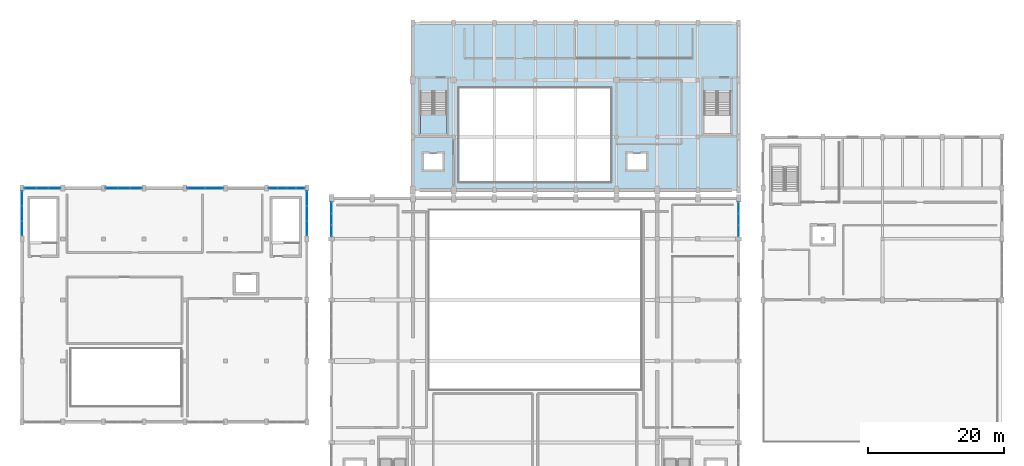
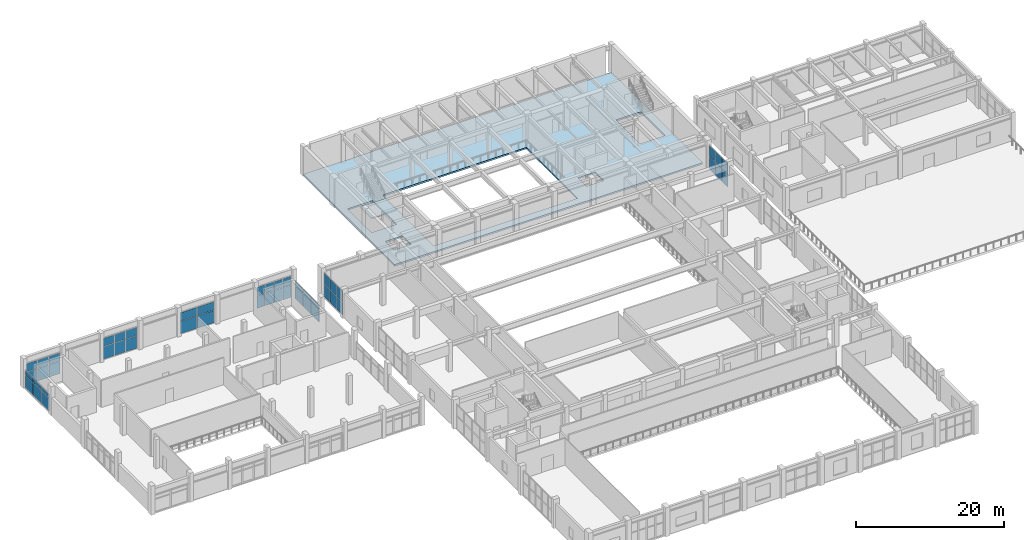
# One storey, part 37 of 62: 48 plates, 2 slabs, 9 elements without a shape of their own.
"""IFC4 building model written with IfcOpenShell, lengths in metres."""

import ifcopenshell
import ifcopenshell.guid

model = None  # the IFC model being written
_history = None  # IfcOwnerHistory: only IFC2X3 demands one
_inside = {}  # id of a spatial element -> (the spatial element, [elements in it])
_under = {}  # id of a project, library or spatial element -> (it, [spatial elements below it])
_declared = {}  # id of a project -> (the project, [libraries it declares])
_typed = {}  # id of a type object -> (the type object, [elements of that type])
_made_of = {}  # id of a material, layer set ... -> (it, [elements and type objects made of it])


def new_model(schema):
    """Start an empty IFC model of exactly this schema.

    Asked for "IFC4X3", IfcOpenShell would pick the latest addendum, in which some entities
    have other attributes; the version numbers below select the first issue.
    IFC2X3 requires an IfcOwnerHistory on every rooted entity: one is made here for all.
    """
    global model, _history
    if schema == "IFC4X3":
        model = ifcopenshell.file(schema_version=(4, 3, 0, 0))
    else:
        model = ifcopenshell.file(schema=schema)
    _inside.clear()
    _under.clear()
    _declared.clear()
    _typed.clear()
    _made_of.clear()
    _history = None
    if model.schema == "IFC2X3":
        org = make("IfcOrganization", Name="unknown")
        user = make(
            "IfcPersonAndOrganization",
            ThePerson=make("IfcPerson", FamilyName="unknown"),
            TheOrganization=org,
        )
        app = make(
            "IfcApplication",
            ApplicationDeveloper=org,
            Version="unknown",
            ApplicationFullName="unknown",
            ApplicationIdentifier="unknown",
        )
        _history = make(
            "IfcOwnerHistory",
            OwningUser=user,
            OwningApplication=app,
            ChangeAction="ADDED",
            CreationDate=0,
        )
    return model


def make(cls, **values):
    """One entity of the class cls with the attributes given. An attribute that is None is left unset."""
    return model.create_entity(
        cls, **{name: value for name, value in values.items() if value is not None}
    )


def rooted(cls, **values):
    """An entity with a GlobalId (a new one), such as an element, a storey or a relation."""
    return make(cls, GlobalId=ifcopenshell.guid.new(), OwnerHistory=_history, **values)


def si_unit(unit_type, name, prefix=None):
    """IfcSIUnit, for example si_unit("LENGTHUNIT", "METRE", prefix="MILLI")."""
    return make("IfcSIUnit", UnitType=unit_type, Prefix=prefix, Name=name)


def assignment(units):
    """IfcUnitAssignment: the units of a project."""
    return None if units is None else make("IfcUnitAssignment", Units=units)


def point(xyz):
    """IfcCartesianPoint."""
    return None if xyz is None else make("IfcCartesianPoint", Coordinates=xyz)


def direction(xyz):
    """IfcDirection."""
    return None if xyz is None else make("IfcDirection", DirectionRatios=xyz)


def frame(location, z_axis=None, x_axis=None):
    """IfcAxis2Placement3D, a coordinate frame: its origin and axes. An axis left out is left unset."""
    return make(
        "IfcAxis2Placement3D",
        Location=point(location),
        Axis=direction(z_axis),
        RefDirection=direction(x_axis),
    )


def frame_2d(location, x_axis=None):
    """IfcAxis2Placement2D, a coordinate frame in the plane: its origin and x axis."""
    return make(
        "IfcAxis2Placement2D", Location=point(location), RefDirection=direction(x_axis)
    )


def origin():
    """The frame at (0, 0, 0) with its axes left unset."""
    return frame((0.0, 0.0, 0.0))


def origin_2d():
    """The frame at (0, 0) in the plane with its x axis left unset."""
    return frame_2d((0.0, 0.0))


def place(relative_to, where):
    """IfcLocalPlacement: puts the frame where relative to a parent placement (None: the world)."""
    return make(
        "IfcLocalPlacement", PlacementRelTo=relative_to, RelativePlacement=where
    )


def context(
    kind, dimensions, precision=None, world=None, true_north=None, identifier=None
):
    """IfcGeometricRepresentationContext, for example the 3D "Model" context."""
    return make(
        "IfcGeometricRepresentationContext",
        ContextIdentifier=identifier,
        ContextType=kind,
        CoordinateSpaceDimension=dimensions,
        Precision=precision,
        WorldCoordinateSystem=world,
        TrueNorth=true_north,
    )


def subcontext(parent, identifier, kind, view, scale=None):
    """IfcGeometricRepresentationSubContext, for example "Body" below "Model"."""
    return make(
        "IfcGeometricRepresentationSubContext",
        ContextIdentifier=identifier,
        ContextType=kind,
        ParentContext=parent,
        TargetScale=scale,
        TargetView=view,
    )


def project(units=None, contexts=None):
    """IfcProject with its units and contexts."""
    return rooted(
        "IfcProject",
        Name="project",
        RepresentationContexts=contexts,
        UnitsInContext=assignment(units),
    )


def spatial(cls, under=None, at=None, **own):
    """A site, building, storey or space (cls), placed at a placement, below another one or the project."""
    s = rooted(cls, ObjectPlacement=at, **own)
    if under is not None:
        _under.setdefault(under.id(), (under, []))[1].append(s)
    return s


def polyline(points):
    """IfcPolyline through the points."""
    return make("IfcPolyline", Points=[point(p) for p in points])


def profile(cls, at=None, kind="AREA", **sizes):
    """A parametric profile (cls). Its sizes go by their IFC names, for example OverallWidth=200.0."""
    return make(cls, ProfileType=kind, Position=at, **sizes)


def rectangle(**sizes):
    """IfcRectangleProfileDef."""
    return profile("IfcRectangleProfileDef", **sizes)


def outline(outer, holes=None, kind="AREA"):
    """IfcArbitraryClosedProfileDef: a profile drawn as a closed curve; with holes, ...WithVoids."""
    if holes is None:
        return make("IfcArbitraryClosedProfileDef", ProfileType=kind, OuterCurve=outer)
    return make(
        "IfcArbitraryProfileDefWithVoids",
        ProfileType=kind,
        OuterCurve=outer,
        InnerCurves=holes,
    )


def extrude(swept, where, along, depth):
    """IfcExtrudedAreaSolid: the profile swept, set in the frame where, extruded along a direction by depth."""
    return make(
        "IfcExtrudedAreaSolid",
        SweptArea=swept,
        Position=where,
        ExtrudedDirection=direction(along),
        Depth=depth,
    )


def shape(context_of_items, identifier, shape_type, items):
    """IfcShapeRepresentation: the items that make up one representation, for example the "Body"."""
    return make(
        "IfcShapeRepresentation",
        ContextOfItems=context_of_items,
        RepresentationIdentifier=identifier,
        RepresentationType=shape_type,
        Items=items,
    )


def material(Name=None, Category=None):
    """IfcMaterial."""
    return make("IfcMaterial", Name=Name, Category=Category)


def layer(
    of_material, thickness, ventilated=None, Name=None, Category=None, Priority=None
):
    """IfcMaterialLayer: one layer of a wall or slab, of a material (None: an air gap)."""
    return make(
        "IfcMaterialLayer",
        Material=of_material,
        LayerThickness=thickness,
        IsVentilated=ventilated,
        Name=Name,
        Category=Category,
        Priority=Priority,
    )


def layer_set(layers, Name=None):
    """IfcMaterialLayerSet."""
    return make("IfcMaterialLayerSet", MaterialLayers=layers, LayerSetName=Name)


def made_of(thing, what):
    """Note that an element or type object is made of a material, layer set ...; save() writes the relation."""
    if what is not None:
        _made_of.setdefault(what.id(), (what, []))[1].append(thing)
    return thing


def type_object(cls, material=None, **own):
    """A type object (cls), such as IfcWallType, which elements share."""
    return made_of(rooted(cls, **own), material)


def element(
    cls,
    number,
    at=None,
    inside=None,
    cuts=None,
    type_object=None,
    material=None,
    context=None,
    identifier="Body",
    shape_type=None,
    held_by="IfcProductDefinitionShape",
    body=None,
    shapes=None,
    **own,
):
    """One element of the class cls, such as IfcWall. Its Tag is "e" and its number.

    at: its placement. inside: the storey or other place that contains it. cuts: it is an
    opening in that element (IfcRelVoidsElement). A single representation is given by context,
    identifier, shape_type and body (its items); several are given by shapes. held_by: the class
    of the entity that holds the representations. save() writes the other relations.
    """
    e = rooted(cls, Tag="e%d" % number, ObjectPlacement=at, **own)
    if body is not None:
        shapes = [shape(context, identifier, shape_type, body)]
    if shapes is not None:
        e.Representation = make(held_by, Representations=shapes)
    if inside is not None:
        _inside.setdefault(inside.id(), (inside, []))[1].append(e)
    if cuts is not None:
        rooted(
            "IfcRelVoidsElement", RelatingBuildingElement=cuts, RelatedOpeningElement=e
        )
    if type_object is not None:
        _typed.setdefault(type_object.id(), (type_object, []))[1].append(e)
    return made_of(e, material)


def aggregate(whole, parts):
    """IfcRelAggregates: a whole, such as a stair, and the parts it consists of."""
    return rooted("IfcRelAggregates", RelatingObject=whole, RelatedObjects=parts)


def save(model, path):
    """Write the relations noted so far, then the file.

    IfcRelAggregates (storeys below a building ...), IfcRelContainedInSpatialStructure (elements
    in a storey), IfcRelDefinesByType, IfcRelAssociatesMaterial and IfcRelDeclares: one each for
    every whole, place, type object, material and project.
    """
    for whole, parts in _under.values():
        aggregate(whole, parts)
    for where, things in _inside.values():
        rooted(
            "IfcRelContainedInSpatialStructure",
            RelatedElements=things,
            RelatingStructure=where,
        )
    for kind, things in _typed.values():
        rooted("IfcRelDefinesByType", RelatedObjects=things, RelatingType=kind)
    for what, things in _made_of.values():
        rooted("IfcRelAssociatesMaterial", RelatedObjects=things, RelatingMaterial=what)
    for by, libraries in _declared.values():
        rooted("IfcRelDeclares", RelatingContext=by, RelatedDefinitions=libraries)
    model.write(path)


model = new_model("IFC4")

# Units and contexts
model_context = context("Model", 3, precision=1e-05, world=origin(), true_north=direction((0.0, 1.0)))
body_context = subcontext(model_context, "Body", "Model", "MODEL_VIEW")
ifc_project = project(units=[si_unit("LENGTHUNIT", "METRE"), si_unit("AREAUNIT", "SQUARE_METRE"), si_unit("VOLUMEUNIT", "CUBIC_METRE"), si_unit("PLANEANGLEUNIT", "RADIAN"), si_unit("MASSUNIT", "GRAM", prefix="KILO")], contexts=[model_context])

# Site, building, storey
site_placement = place(None, origin())
site = spatial("IfcSite", under=ifc_project, at=site_placement, CompositionType="ELEMENT")
building_placement = place(site_placement, origin())
building = spatial("IfcBuilding", under=site, at=building_placement, Name="Vaelkrest Opera House", CompositionType="ELEMENT")
storey_placement = place(building_placement, frame((0.0, 0.0, 19.800048828125)))
storey = spatial("IfcBuildingStorey", under=building, at=storey_placement, Name="L04", CompositionType="ELEMENT", Elevation=19.800048828125)

# Curtain wall, plates
ifc_material_1 = material(Name="Dark bronze anodized aluminium", Category="aluminium")
ifc_layer_1 = layer(ifc_material_1, 0.18994140625)
ifc_layer_set_1 = layer_set([ifc_layer_1], Name="Dark bronze anodized aluminium")
curtain_wall_type_1 = type_object("IfcCurtainWallType", Name="CW02", PredefinedType="NOTDEFINED", material=ifc_layer_set_1)
curtain_wall_1_placement = place(storey_placement, origin())
curtain_wall_1 = element("IfcCurtainWall", 1, at=curtain_wall_1_placement, inside=storey, type_object=curtain_wall_type_1, Name="Curtain wall CW-L04-063", PredefinedType="NOTDEFINED")
ifc_material_2 = material(Name="Double low-E insulated glazing", Category="glass")
ifc_layer_2 = layer(ifc_material_2, 0.030029296875)
ifc_layer_set_2 = layer_set([ifc_layer_2], Name="Double low-E insulated glazing")
plate_type_1 = type_object("IfcPlateType", Name="CWP02", PredefinedType="CURTAIN_PANEL", material=ifc_layer_set_2)
plate_1_placement = place(storey_placement, frame((-30.0, 11.37451171875, 0.070068359375), z_axis=(0.0, 0.0, 1.0), x_axis=(0.0, 1.0, 0.0)))
plate_1 = element("IfcPlate", 2, at=plate_1_placement, type_object=plate_type_1, Name="CW02 panel 1.1", PredefinedType="CURTAIN_PANEL", context=body_context, shape_type="SweptSolid", body=[
    extrude(rectangle(XDim=1.613037109375, YDim=0.030029296875, at=origin_2d()), origin(), (0.0, 0.0, 1.0), 2.044921875),
])
plate_2_placement = place(storey_placement, frame((-30.0, 11.37451171875, 2.184814453125), z_axis=(0.0, 0.0, 1.0), x_axis=(0.0, 1.0, 0.0)))
plate_2 = element("IfcPlate", 3, at=plate_2_placement, type_object=plate_type_1, Name="CW02 panel 1.2", PredefinedType="CURTAIN_PANEL", context=body_context, shape_type="SweptSolid", body=[
    extrude(rectangle(XDim=1.613037109375, YDim=0.030029296875, at=origin_2d()), origin(), (0.0, 0.0, 1.0), 1.7880859375),
])
plate_3_placement = place(storey_placement, frame((-30.0, 13.074951171875, 0.070068359375), z_axis=(0.0, 0.0, 1.0), x_axis=(0.0, 1.0, 0.0)))
plate_3 = element("IfcPlate", 4, at=plate_3_placement, type_object=plate_type_1, Name="CW02 panel 2.1", PredefinedType="CURTAIN_PANEL", context=body_context, shape_type="SweptSolid", body=[
    extrude(rectangle(XDim=1.64794921875, YDim=0.030029296875, at=origin_2d()), origin(), (0.0, 0.0, 1.0), 2.044921875),
])
plate_4_placement = place(storey_placement, frame((-30.0, 13.074951171875, 2.184814453125), z_axis=(0.0, 0.0, 1.0), x_axis=(0.0, 1.0, 0.0)))
plate_4 = element("IfcPlate", 5, at=plate_4_placement, type_object=plate_type_1, Name="CW02 panel 2.2", PredefinedType="CURTAIN_PANEL", context=body_context, shape_type="SweptSolid", body=[
    extrude(rectangle(XDim=1.64794921875, YDim=0.030029296875, at=origin_2d()), origin(), (0.0, 0.0, 1.0), 1.7880859375),
])
plate_5_placement = place(storey_placement, frame((-30.0, 14.775390625, 0.070068359375), z_axis=(0.0, 0.0, 1.0), x_axis=(0.0, 1.0, 0.0)))
plate_5 = element("IfcPlate", 6, at=plate_5_placement, type_object=plate_type_1, Name="CW02 panel 3.1", PredefinedType="CURTAIN_PANEL", context=body_context, shape_type="SweptSolid", body=[
    extrude(rectangle(XDim=1.613037109375, YDim=0.030029296875, at=origin_2d()), origin(), (0.0, 0.0, 1.0), 2.044921875),
])
plate_6_placement = place(storey_placement, frame((-30.0, 14.775390625, 2.184814453125), z_axis=(0.0, 0.0, 1.0), x_axis=(0.0, 1.0, 0.0)))
plate_6 = element("IfcPlate", 7, at=plate_6_placement, type_object=plate_type_1, Name="CW02 panel 3.2", PredefinedType="CURTAIN_PANEL", context=body_context, shape_type="SweptSolid", body=[
    extrude(rectangle(XDim=1.613037109375, YDim=0.030029296875, at=origin_2d()), origin(), (0.0, 0.0, 1.0), 1.7880859375),
])
aggregate(curtain_wall_1, [plate_1, plate_2, plate_3, plate_4, plate_5, plate_6])

curtain_wall_2_placement = place(storey_placement, origin())
curtain_wall_2 = element("IfcCurtainWall", 8, at=curtain_wall_2_placement, inside=storey, type_object=curtain_wall_type_1, Name="Curtain wall CW-L04-146", PredefinedType="NOTDEFINED")
plate_7_placement = place(storey_placement, frame((-38.60888671875, 17.699951171875, 0.070068359375), z_axis=(0.0, 0.0, 1.0), x_axis=(1.0, 0.0, 0.0)))
plate_7 = element("IfcPlate", 9, at=plate_7_placement, type_object=plate_type_1, Name="CW02 panel 1.1", PredefinedType="CURTAIN_PANEL", context=body_context, shape_type="SweptSolid", body=[
    extrude(rectangle(XDim=1.24609375, YDim=0.030029296875, at=origin_2d()), origin(), (0.0, 0.0, 1.0), 2.044921875),
])
plate_8_placement = place(storey_placement, frame((-38.60888671875, 17.699951171875, 2.18505859375), z_axis=(0.0, 0.0, 1.0), x_axis=(1.0, 0.0, 0.0)))
plate_8 = element("IfcPlate", 10, at=plate_8_placement, type_object=plate_type_1, Name="CW02 panel 1.2", PredefinedType="CURTAIN_PANEL", context=body_context, shape_type="SweptSolid", body=[
    extrude(rectangle(XDim=1.24609375, YDim=0.030029296875, at=origin_2d()), origin(), (0.0, 0.0, 1.0), 1.342041015625),
])
plate_9_placement = place(storey_placement, frame((-37.275390625, 17.699951171875, 0.070068359375), z_axis=(0.0, 0.0, 1.0), x_axis=(1.0, 0.0, 0.0)))
plate_9 = element("IfcPlate", 11, at=plate_9_placement, type_object=plate_type_1, Name="CW02 panel 2.1", PredefinedType="CURTAIN_PANEL", context=body_context, shape_type="SweptSolid", body=[
    extrude(rectangle(XDim=1.281005859375, YDim=0.030029296875, at=origin_2d()), origin(), (0.0, 0.0, 1.0), 2.044921875),
])
plate_10_placement = place(storey_placement, frame((-37.275390625, 17.699951171875, 2.18505859375), z_axis=(0.0, 0.0, 1.0), x_axis=(1.0, 0.0, 0.0)))
plate_10 = element("IfcPlate", 12, at=plate_10_placement, type_object=plate_type_1, Name="CW02 panel 2.2", PredefinedType="CURTAIN_PANEL", context=body_context, shape_type="SweptSolid", body=[
    extrude(rectangle(XDim=1.281005859375, YDim=0.030029296875, at=origin_2d()), origin(), (0.0, 0.0, 1.0), 1.342041015625),
])
plate_11_placement = place(storey_placement, frame((-35.924560546875, 17.699951171875, 0.070068359375), z_axis=(0.0, 0.0, 1.0), x_axis=(1.0, 0.0, 0.0)))
plate_11 = element("IfcPlate", 13, at=plate_11_placement, type_object=plate_type_1, Name="CW02 panel 3.1", PredefinedType="CURTAIN_PANEL", context=body_context, shape_type="SweptSolid", body=[
    extrude(rectangle(XDim=1.281005859375, YDim=0.030029296875, at=origin_2d()), origin(), (0.0, 0.0, 1.0), 2.044921875),
])
plate_12_placement = place(storey_placement, frame((-35.924560546875, 17.699951171875, 2.18505859375), z_axis=(0.0, 0.0, 1.0), x_axis=(1.0, 0.0, 0.0)))
plate_12 = element("IfcPlate", 14, at=plate_12_placement, type_object=plate_type_1, Name="CW02 panel 3.2", PredefinedType="CURTAIN_PANEL", context=body_context, shape_type="SweptSolid", body=[
    extrude(rectangle(XDim=1.281005859375, YDim=0.030029296875, at=origin_2d()), origin(), (0.0, 0.0, 1.0), 1.342041015625),
])
plate_13_placement = place(storey_placement, frame((-34.591064453125, 17.699951171875, 0.070068359375), z_axis=(0.0, 0.0, 1.0), x_axis=(1.0, 0.0, 0.0)))
plate_13 = element("IfcPlate", 15, at=plate_13_placement, type_object=plate_type_1, Name="CW02 panel 4.1", PredefinedType="CURTAIN_PANEL", context=body_context, shape_type="SweptSolid", body=[
    extrude(rectangle(XDim=1.24609375, YDim=0.030029296875, at=origin_2d()), origin(), (0.0, 0.0, 1.0), 2.044921875),
])
plate_14_placement = place(storey_placement, frame((-34.591064453125, 17.699951171875, 2.18505859375), z_axis=(0.0, 0.0, 1.0), x_axis=(1.0, 0.0, 0.0)))
plate_14 = element("IfcPlate", 16, at=plate_14_placement, type_object=plate_type_1, Name="CW02 panel 4.2", PredefinedType="CURTAIN_PANEL", context=body_context, shape_type="SweptSolid", body=[
    extrude(rectangle(XDim=1.24609375, YDim=0.030029296875, at=origin_2d()), origin(), (0.0, 0.0, 1.0), 1.342041015625),
])
aggregate(curtain_wall_2, [plate_7, plate_8, plate_9, plate_10, plate_11, plate_12, plate_13, plate_14])

ifc_layer_3 = layer(ifc_material_1, 0.2099609375)
ifc_layer_set_3 = layer_set([ifc_layer_3], Name="Dark bronze anodized aluminium")
curtain_wall_type_2 = type_object("IfcCurtainWallType", Name="CW04", PredefinedType="NOTDEFINED", material=ifc_layer_set_3)
curtain_wall_3_placement = place(storey_placement, origin())
curtain_wall_3 = element("IfcCurtainWall", 17, at=curtain_wall_3_placement, inside=storey, type_object=curtain_wall_type_2, Name="Curtain wall CW-L04-143", PredefinedType="NOTDEFINED")
ifc_layer_4 = layer(ifc_material_2, 0.0380859375)
ifc_layer_set_4 = layer_set([ifc_layer_4], Name="Double low-E insulated glazing")
plate_type_2 = type_object("IfcPlateType", Name="CWP04", PredefinedType="CURTAIN_PANEL", material=ifc_layer_set_4)
plate_15_placement = place(storey_placement, frame((-74.38134765625, 17.699951171875, 0.080078125), z_axis=(0.0, 0.0, 1.0), x_axis=(1.0, 0.0, 0.0)))
plate_15 = element("IfcPlate", 18, at=plate_15_placement, type_object=plate_type_2, Name="CW04 panel 1.1", PredefinedType="CURTAIN_PANEL", context=body_context, shape_type="SweptSolid", body=[
    extrude(rectangle(XDim=1.681396484375, YDim=0.0380859375, at=origin_2d()), origin(), (0.0, 0.0, 1.0), 2.030029296875),
])
plate_16_placement = place(storey_placement, frame((-74.38134765625, 17.699951171875, 2.18994140625), z_axis=(0.0, 0.0, 1.0), x_axis=(1.0, 0.0, 0.0)))
plate_16 = element("IfcPlate", 19, at=plate_16_placement, type_object=plate_type_2, Name="CW04 panel 1.2", PredefinedType="CURTAIN_PANEL", context=body_context, shape_type="SweptSolid", body=[
    extrude(rectangle(XDim=1.681396484375, YDim=0.0380859375, at=origin_2d()), origin(), (0.0, 0.0, 1.0), 1.326904296875),
])
plate_17_placement = place(storey_placement, frame((-72.60009765625, 17.699951171875, 0.080078125), z_axis=(0.0, 0.0, 1.0), x_axis=(1.0, 0.0, 0.0)))
plate_17 = element("IfcPlate", 20, at=plate_17_placement, type_object=plate_type_2, Name="CW04 panel 2.1", PredefinedType="CURTAIN_PANEL", context=body_context, shape_type="SweptSolid", body=[
    extrude(rectangle(XDim=1.721435546875, YDim=0.0380859375, at=origin_2d()), origin(), (0.0, 0.0, 1.0), 2.030029296875),
])
plate_18_placement = place(storey_placement, frame((-72.60009765625, 17.699951171875, 2.18994140625), z_axis=(0.0, 0.0, 1.0), x_axis=(1.0, 0.0, 0.0)))
plate_18 = element("IfcPlate", 21, at=plate_18_placement, type_object=plate_type_2, Name="CW04 panel 2.2", PredefinedType="CURTAIN_PANEL", context=body_context, shape_type="SweptSolid", body=[
    extrude(rectangle(XDim=1.721435546875, YDim=0.0380859375, at=origin_2d()), origin(), (0.0, 0.0, 1.0), 1.326904296875),
])
plate_19_placement = place(storey_placement, frame((-70.818603515625, 17.699951171875, 0.080078125), z_axis=(0.0, 0.0, 1.0), x_axis=(1.0, 0.0, 0.0)))
plate_19 = element("IfcPlate", 22, at=plate_19_placement, type_object=plate_type_2, Name="CW04 panel 3.1", PredefinedType="CURTAIN_PANEL", context=body_context, shape_type="SweptSolid", body=[
    extrude(rectangle(XDim=1.681396484375, YDim=0.0380859375, at=origin_2d()), origin(), (0.0, 0.0, 1.0), 2.030029296875),
])
plate_20_placement = place(storey_placement, frame((-70.818603515625, 17.699951171875, 2.18994140625), z_axis=(0.0, 0.0, 1.0), x_axis=(1.0, 0.0, 0.0)))
plate_20 = element("IfcPlate", 23, at=plate_20_placement, type_object=plate_type_2, Name="CW04 panel 3.2", PredefinedType="CURTAIN_PANEL", context=body_context, shape_type="SweptSolid", body=[
    extrude(rectangle(XDim=1.681396484375, YDim=0.0380859375, at=origin_2d()), origin(), (0.0, 0.0, 1.0), 1.326904296875),
])
aggregate(curtain_wall_3, [plate_15, plate_16, plate_17, plate_18, plate_19, plate_20])

ifc_layer_5 = layer(ifc_material_1, 0.219970703125)
ifc_layer_set_5 = layer_set([ifc_layer_5], Name="Dark bronze anodized aluminium")
curtain_wall_type_3 = type_object("IfcCurtainWallType", Name="CW05", PredefinedType="NOTDEFINED", material=ifc_layer_set_5)
curtain_wall_4_placement = place(storey_placement, origin())
curtain_wall_4 = element("IfcCurtainWall", 24, at=curtain_wall_4_placement, inside=storey, type_object=curtain_wall_type_3, Name="Curtain wall CW-L04-064", PredefinedType="NOTDEFINED")
ifc_layer_6 = layer(ifc_material_2, 0.0419921875)
ifc_layer_set_6 = layer_set([ifc_layer_6], Name="Double low-E insulated glazing")
plate_type_3 = type_object("IfcPlateType", Name="CWP05", PredefinedType="CURTAIN_PANEL", material=ifc_layer_set_6)
plate_21_placement = place(storey_placement, frame((30.0, 14.77685546875, 0.074951171875), z_axis=(0.0, 0.0, 1.0), x_axis=(0.0, -1.0, 0.0)))
plate_21 = element("IfcPlate", 25, at=plate_21_placement, type_object=plate_type_3, Name="CW05 panel 1.1", PredefinedType="CURTAIN_PANEL", context=body_context, shape_type="SweptSolid", body=[
    extrude(rectangle(XDim=1.62060546875, YDim=0.0419921875, at=origin_2d()), origin(), (0.0, 0.0, 1.0), 2.03759765625),
])
plate_22_placement = place(storey_placement, frame((30.0, 14.77685546875, 2.1875), z_axis=(0.0, 0.0, 1.0), x_axis=(0.0, -1.0, 0.0)))
plate_22 = element("IfcPlate", 26, at=plate_22_placement, type_object=plate_type_3, Name="CW05 panel 1.2", PredefinedType="CURTAIN_PANEL", context=body_context, shape_type="SweptSolid", body=[
    extrude(rectangle(XDim=1.62060546875, YDim=0.0419921875, at=origin_2d()), origin(), (0.0, 0.0, 1.0), 1.780517578125),
])
plate_23_placement = place(storey_placement, frame((30.0, 13.074951171875, 0.074951171875), z_axis=(0.0, 0.0, 1.0), x_axis=(0.0, -1.0, 0.0)))
plate_23 = element("IfcPlate", 27, at=plate_23_placement, type_object=plate_type_3, Name="CW05 panel 2.1", PredefinedType="CURTAIN_PANEL", context=body_context, shape_type="SweptSolid", body=[
    extrude(rectangle(XDim=1.653076171875, YDim=0.0419921875, at=origin_2d()), origin(), (0.0, 0.0, 1.0), 2.03759765625),
])
plate_24_placement = place(storey_placement, frame((30.0, 13.074951171875, 2.1875), z_axis=(0.0, 0.0, 1.0), x_axis=(0.0, -1.0, 0.0)))
plate_24 = element("IfcPlate", 28, at=plate_24_placement, type_object=plate_type_3, Name="CW05 panel 2.2", PredefinedType="CURTAIN_PANEL", context=body_context, shape_type="SweptSolid", body=[
    extrude(rectangle(XDim=1.653076171875, YDim=0.0419921875, at=origin_2d()), origin(), (0.0, 0.0, 1.0), 1.780517578125),
])
plate_25_placement = place(storey_placement, frame((30.0, 11.373291015625, 0.074951171875), z_axis=(0.0, 0.0, 1.0), x_axis=(0.0, -1.0, 0.0)))
plate_25 = element("IfcPlate", 29, at=plate_25_placement, type_object=plate_type_3, Name="CW05 panel 3.1", PredefinedType="CURTAIN_PANEL", context=body_context, shape_type="SweptSolid", body=[
    extrude(rectangle(XDim=1.62060546875, YDim=0.0419921875, at=origin_2d()), origin(), (0.0, 0.0, 1.0), 2.03759765625),
])
plate_26_placement = place(storey_placement, frame((30.0, 11.373291015625, 2.1875), z_axis=(0.0, 0.0, 1.0), x_axis=(0.0, -1.0, 0.0)))
plate_26 = element("IfcPlate", 30, at=plate_26_placement, type_object=plate_type_3, Name="CW05 panel 3.2", PredefinedType="CURTAIN_PANEL", context=body_context, shape_type="SweptSolid", body=[
    extrude(rectangle(XDim=1.62060546875, YDim=0.0419921875, at=origin_2d()), origin(), (0.0, 0.0, 1.0), 1.780517578125),
])
aggregate(curtain_wall_4, [plate_21, plate_22, plate_23, plate_24, plate_25, plate_26])

curtain_wall_5_placement = place(storey_placement, origin())
curtain_wall_5 = element("IfcCurtainWall", 31, at=curtain_wall_5_placement, inside=storey, type_object=curtain_wall_type_3, Name="Curtain wall CW-L04-147", PredefinedType="NOTDEFINED")
plate_27_placement = place(storey_placement, frame((-33.60009765625, 16.135009765625, 0.074951171875), z_axis=(0.0, 0.0, 1.0), x_axis=(0.0, -1.0, 0.0)))
plate_27 = element("IfcPlate", 32, at=plate_27_placement, type_object=plate_type_3, Name="CW05 panel 1.1", PredefinedType="CURTAIN_PANEL", context=body_context, shape_type="SweptSolid", body=[
    extrude(rectangle(XDim=2.103759765625, YDim=0.0419921875, at=origin_2d()), origin(), (0.0, 0.0, 1.0), 2.03759765625),
])
plate_28_placement = place(storey_placement, frame((-33.60009765625, 16.135009765625, 2.1875), z_axis=(0.0, 0.0, 1.0), x_axis=(0.0, -1.0, 0.0)))
plate_28 = element("IfcPlate", 33, at=plate_28_placement, type_object=plate_type_3, Name="CW05 panel 1.2", PredefinedType="CURTAIN_PANEL", context=body_context, shape_type="SweptSolid", body=[
    extrude(rectangle(XDim=2.103759765625, YDim=0.0419921875, at=origin_2d()), origin(), (0.0, 0.0, 1.0), 0.695556640625),
])
plate_29_placement = place(storey_placement, frame((-33.60009765625, 13.949951171875, 0.074951171875), z_axis=(0.0, 0.0, 1.0), x_axis=(0.0, -1.0, 0.0)))
plate_29 = element("IfcPlate", 34, at=plate_29_placement, type_object=plate_type_3, Name="CW05 panel 2.1", PredefinedType="CURTAIN_PANEL", context=body_context, shape_type="SweptSolid", body=[
    extrude(rectangle(XDim=2.13623046875, YDim=0.0419921875, at=origin_2d()), origin(), (0.0, 0.0, 1.0), 2.03759765625),
])
plate_30_placement = place(storey_placement, frame((-33.60009765625, 13.949951171875, 2.1875), z_axis=(0.0, 0.0, 1.0), x_axis=(0.0, -1.0, 0.0)))
plate_30 = element("IfcPlate", 35, at=plate_30_placement, type_object=plate_type_3, Name="CW05 panel 2.2", PredefinedType="CURTAIN_PANEL", context=body_context, shape_type="SweptSolid", body=[
    extrude(rectangle(XDim=2.13623046875, YDim=0.0419921875, at=origin_2d()), origin(), (0.0, 0.0, 1.0), 0.695556640625),
])
plate_31_placement = place(storey_placement, frame((-33.60009765625, 11.764892578125, 0.074951171875), z_axis=(0.0, 0.0, 1.0), x_axis=(0.0, -1.0, 0.0)))
plate_31 = element("IfcPlate", 36, at=plate_31_placement, type_object=plate_type_3, Name="CW05 panel 3.1", PredefinedType="CURTAIN_PANEL", context=body_context, shape_type="SweptSolid", body=[
    extrude(rectangle(XDim=2.103759765625, YDim=0.0419921875, at=origin_2d()), origin(), (0.0, 0.0, 1.0), 2.03759765625),
])
plate_32_placement = place(storey_placement, frame((-33.60009765625, 11.764892578125, 2.1875), z_axis=(0.0, 0.0, 1.0), x_axis=(0.0, -1.0, 0.0)))
plate_32 = element("IfcPlate", 37, at=plate_32_placement, type_object=plate_type_3, Name="CW05 panel 3.2", PredefinedType="CURTAIN_PANEL", context=body_context, shape_type="SweptSolid", body=[
    extrude(rectangle(XDim=2.103759765625, YDim=0.0419921875, at=origin_2d()), origin(), (0.0, 0.0, 1.0), 0.695556640625),
])
aggregate(curtain_wall_5, [plate_27, plate_28, plate_29, plate_30, plate_31, plate_32])

ifc_layer_7 = layer(ifc_material_1, 0.22998046875)
ifc_layer_set_7 = layer_set([ifc_layer_7], Name="Dark bronze anodized aluminium")
curtain_wall_type_4 = type_object("IfcCurtainWallType", Name="CW06", PredefinedType="NOTDEFINED", material=ifc_layer_set_7)
curtain_wall_6_placement = place(storey_placement, origin())
curtain_wall_6 = element("IfcCurtainWall", 38, at=curtain_wall_6_placement, inside=storey, type_object=curtain_wall_type_4, Name="Curtain wall CW-L04-142", PredefinedType="NOTDEFINED")
ifc_material_3 = material(Name="Dark bronze anodized aluminium spandrel", Category="aluminium")
ifc_layer_8 = layer(ifc_material_3, 0.0458984375)
ifc_layer_set_8 = layer_set([ifc_layer_8], Name="Dark bronze anodized aluminium spandrel")
plate_type_4 = type_object("IfcPlateType", Name="CWP06", PredefinedType="CURTAIN_PANEL", material=ifc_layer_set_8)
plate_33_placement = place(storey_placement, frame((-75.60009765625, 11.76611328125, 0.080078125), z_axis=(0.0, 0.0, 1.0), x_axis=(0.0, 1.0, 0.0)))
plate_33 = element("IfcPlate", 39, at=plate_33_placement, type_object=plate_type_4, Name="CW06 panel 1.1", PredefinedType="CURTAIN_PANEL", context=body_context, shape_type="SweptSolid", body=[
    extrude(rectangle(XDim=2.096435546875, YDim=0.0458984375, at=origin_2d()), origin(), (0.0, 0.0, 1.0), 2.030029296875),
])
plate_34_placement = place(storey_placement, frame((-75.60009765625, 11.76611328125, 2.18994140625), z_axis=(0.0, 0.0, 1.0), x_axis=(0.0, 1.0, 0.0)))
plate_34 = element("IfcPlate", 40, at=plate_34_placement, type_object=plate_type_4, Name="CW06 panel 1.2", PredefinedType="CURTAIN_PANEL", context=body_context, shape_type="SweptSolid", body=[
    extrude(rectangle(XDim=2.096435546875, YDim=0.0458984375, at=origin_2d()), origin(), (0.0, 0.0, 1.0), 0.68798828125),
])
plate_35_placement = place(storey_placement, frame((-75.60009765625, 13.949951171875, 0.080078125), z_axis=(0.0, 0.0, 1.0), x_axis=(0.0, 1.0, 0.0)))
plate_35 = element("IfcPlate", 41, at=plate_35_placement, type_object=plate_type_4, Name="CW06 panel 2.1", PredefinedType="CURTAIN_PANEL", context=body_context, shape_type="SweptSolid", body=[
    extrude(rectangle(XDim=2.13134765625, YDim=0.0458984375, at=origin_2d()), origin(), (0.0, 0.0, 1.0), 2.030029296875),
])
plate_36_placement = place(storey_placement, frame((-75.60009765625, 13.949951171875, 2.18994140625), z_axis=(0.0, 0.0, 1.0), x_axis=(0.0, 1.0, 0.0)))
plate_36 = element("IfcPlate", 42, at=plate_36_placement, type_object=plate_type_4, Name="CW06 panel 2.2", PredefinedType="CURTAIN_PANEL", context=body_context, shape_type="SweptSolid", body=[
    extrude(rectangle(XDim=2.13134765625, YDim=0.0458984375, at=origin_2d()), origin(), (0.0, 0.0, 1.0), 0.68798828125),
])
plate_37_placement = place(storey_placement, frame((-75.60009765625, 16.1337890625, 0.080078125), z_axis=(0.0, 0.0, 1.0), x_axis=(0.0, 1.0, 0.0)))
plate_37 = element("IfcPlate", 43, at=plate_37_placement, type_object=plate_type_4, Name="CW06 panel 3.1", PredefinedType="CURTAIN_PANEL", context=body_context, shape_type="SweptSolid", body=[
    extrude(rectangle(XDim=2.096435546875, YDim=0.0458984375, at=origin_2d()), origin(), (0.0, 0.0, 1.0), 2.030029296875),
])
plate_38_placement = place(storey_placement, frame((-75.60009765625, 16.1337890625, 2.18994140625), z_axis=(0.0, 0.0, 1.0), x_axis=(0.0, 1.0, 0.0)))
plate_38 = element("IfcPlate", 44, at=plate_38_placement, type_object=plate_type_4, Name="CW06 panel 3.2", PredefinedType="CURTAIN_PANEL", context=body_context, shape_type="SweptSolid", body=[
    extrude(rectangle(XDim=2.096435546875, YDim=0.0458984375, at=origin_2d()), origin(), (0.0, 0.0, 1.0), 0.68798828125),
])
aggregate(curtain_wall_6, [plate_33, plate_34, plate_35, plate_36, plate_37, plate_38])

curtain_wall_7_placement = place(storey_placement, origin())
curtain_wall_7 = element("IfcCurtainWall", 45, at=curtain_wall_7_placement, inside=storey, type_object=curtain_wall_type_4, Name="Curtain wall CW-L04-144", PredefinedType="NOTDEFINED")
plate_39_placement = place(storey_placement, frame((-62.3837890625, 17.699951171875, 0.080078125), z_axis=(0.0, 0.0, 1.0), x_axis=(1.0, 0.0, 0.0)))
plate_39 = element("IfcPlate", 46, at=plate_39_placement, type_object=plate_type_4, Name="CW06 panel 1.1", PredefinedType="CURTAIN_PANEL", context=body_context, shape_type="SweptSolid", body=[
    extrude(rectangle(XDim=1.6962890625, YDim=0.0458984375, at=origin_2d()), origin(), (0.0, 0.0, 1.0), 2.030029296875),
])
plate_40_placement = place(storey_placement, frame((-62.3837890625, 17.699951171875, 2.18994140625), z_axis=(0.0, 0.0, 1.0), x_axis=(1.0, 0.0, 0.0)))
plate_40 = element("IfcPlate", 47, at=plate_40_placement, type_object=plate_type_4, Name="CW06 panel 1.2", PredefinedType="CURTAIN_PANEL", context=body_context, shape_type="SweptSolid", body=[
    extrude(rectangle(XDim=1.6962890625, YDim=0.0458984375, at=origin_2d()), origin(), (0.0, 0.0, 1.0), 1.326904296875),
])
plate_41_placement = place(storey_placement, frame((-60.60009765625, 17.699951171875, 0.080078125), z_axis=(0.0, 0.0, 1.0), x_axis=(1.0, 0.0, 0.0)))
plate_41 = element("IfcPlate", 48, at=plate_41_placement, type_object=plate_type_4, Name="CW06 panel 2.1", PredefinedType="CURTAIN_PANEL", context=body_context, shape_type="SweptSolid", body=[
    extrude(rectangle(XDim=1.7314453125, YDim=0.0458984375, at=origin_2d()), origin(), (0.0, 0.0, 1.0), 2.030029296875),
])
plate_42_placement = place(storey_placement, frame((-60.60009765625, 17.699951171875, 2.18994140625), z_axis=(0.0, 0.0, 1.0), x_axis=(1.0, 0.0, 0.0)))
plate_42 = element("IfcPlate", 49, at=plate_42_placement, type_object=plate_type_4, Name="CW06 panel 2.2", PredefinedType="CURTAIN_PANEL", context=body_context, shape_type="SweptSolid", body=[
    extrude(rectangle(XDim=1.7314453125, YDim=0.0458984375, at=origin_2d()), origin(), (0.0, 0.0, 1.0), 1.326904296875),
])
plate_43_placement = place(storey_placement, frame((-58.816162109375, 17.699951171875, 0.080078125), z_axis=(0.0, 0.0, 1.0), x_axis=(1.0, 0.0, 0.0)))
plate_43 = element("IfcPlate", 50, at=plate_43_placement, type_object=plate_type_4, Name="CW06 panel 3.1", PredefinedType="CURTAIN_PANEL", context=body_context, shape_type="SweptSolid", body=[
    extrude(rectangle(XDim=1.6962890625, YDim=0.0458984375, at=origin_2d()), origin(), (0.0, 0.0, 1.0), 2.030029296875),
])
plate_44_placement = place(storey_placement, frame((-58.816162109375, 17.699951171875, 2.18994140625), z_axis=(0.0, 0.0, 1.0), x_axis=(1.0, 0.0, 0.0)))
plate_44 = element("IfcPlate", 51, at=plate_44_placement, type_object=plate_type_4, Name="CW06 panel 3.2", PredefinedType="CURTAIN_PANEL", context=body_context, shape_type="SweptSolid", body=[
    extrude(rectangle(XDim=1.6962890625, YDim=0.0458984375, at=origin_2d()), origin(), (0.0, 0.0, 1.0), 1.326904296875),
])
aggregate(curtain_wall_7, [plate_39, plate_40, plate_41, plate_42, plate_43, plate_44])

ifc_layer_9 = layer(ifc_material_1, 0.25)
ifc_layer_set_9 = layer_set([ifc_layer_9], Name="Dark bronze anodized aluminium")
curtain_wall_type_5 = type_object("IfcCurtainWallType", Name="CW08", PredefinedType="NOTDEFINED", material=ifc_layer_set_9)
curtain_wall_8_placement = place(storey_placement, origin())
curtain_wall_8 = element("IfcCurtainWall", 52, at=curtain_wall_8_placement, inside=storey, type_object=curtain_wall_type_5, Name="Curtain wall CW-L04-145", PredefinedType="NOTDEFINED")
ifc_layer_10 = layer(ifc_material_3, 0.05810546875)
ifc_layer_set_10 = layer_set([ifc_layer_10], Name="Dark bronze anodized aluminium spandrel")
plate_type_5 = type_object("IfcPlateType", Name="CWP08", PredefinedType="CURTAIN_PANEL", material=ifc_layer_set_10)
plate_45_placement = place(storey_placement, frame((-49.930908203125, 17.699951171875, 0.070068359375), z_axis=(0.0, 0.0, 1.0), x_axis=(1.0, 0.0, 0.0)))
plate_45 = element("IfcPlate", 53, at=plate_45_placement, type_object=plate_type_5, Name="CW08 panel 1.1", PredefinedType="CURTAIN_PANEL", context=body_context, shape_type="SweptSolid", body=[
    extrude(rectangle(XDim=2.58203125, YDim=0.05810546875, at=origin_2d()), origin(), (0.0, 0.0, 1.0), 2.044921875),
])
plate_46_placement = place(storey_placement, frame((-49.930908203125, 17.699951171875, 2.18505859375), z_axis=(0.0, 0.0, 1.0), x_axis=(1.0, 0.0, 0.0)))
plate_46 = element("IfcPlate", 54, at=plate_46_placement, type_object=plate_type_5, Name="CW08 panel 1.2", PredefinedType="CURTAIN_PANEL", context=body_context, shape_type="SweptSolid", body=[
    extrude(rectangle(XDim=2.58203125, YDim=0.05810546875, at=origin_2d()), origin(), (0.0, 0.0, 1.0), 1.342041015625),
])
plate_47_placement = place(storey_placement, frame((-47.26904296875, 17.699951171875, 0.070068359375), z_axis=(0.0, 0.0, 1.0), x_axis=(1.0, 0.0, 0.0)))
plate_47 = element("IfcPlate", 55, at=plate_47_placement, type_object=plate_type_5, Name="CW08 panel 2.1", PredefinedType="CURTAIN_PANEL", context=body_context, shape_type="SweptSolid", body=[
    extrude(rectangle(XDim=2.58203125, YDim=0.05810546875, at=origin_2d()), origin(), (0.0, 0.0, 1.0), 2.044921875),
])
plate_48_placement = place(storey_placement, frame((-47.26904296875, 17.699951171875, 2.18505859375), z_axis=(0.0, 0.0, 1.0), x_axis=(1.0, 0.0, 0.0)))
plate_48 = element("IfcPlate", 56, at=plate_48_placement, type_object=plate_type_5, Name="CW08 panel 2.2", PredefinedType="CURTAIN_PANEL", context=body_context, shape_type="SweptSolid", body=[
    extrude(rectangle(XDim=2.58203125, YDim=0.05810546875, at=origin_2d()), origin(), (0.0, 0.0, 1.0), 1.342041015625),
])
aggregate(curtain_wall_8, [plate_45, plate_46, plate_47, plate_48])

# Slab
ifc_material_4 = material(Name="Concrete C40/50", Category="concrete")
ifc_layer_11 = layer(ifc_material_4, 0.264892578125)
ifc_layer_set_11 = layer_set([ifc_layer_11], Name="Concrete C40/50")
slab_type_1 = type_object("IfcSlabType", Name="FS02", PredefinedType="FLOOR", material=ifc_layer_set_11)
slab_1_placement = place(storey_placement, frame((0.0, 0.0, -0.26513671875)))
element("IfcSlab", 57, at=slab_1_placement, inside=storey, type_object=slab_type_1, Name="Floor slab SLB-V2-L04-014", PredefinedType="FLOOR", context=body_context, shape_type="SweptSolid", body=[
    extrude(outline(polyline([(-18.0, 17.39990234375), (30.0, 17.39990234375), (30.0, 42.0), (-18.0, 42.0), (-18.0, 17.39990234375)]), holes=[polyline([(-11.199951171875, 18.60009765625), (11.199951171875, 18.60009765625), (11.199951171875, 32.39990234375), (-11.199951171875, 32.39990234375), (-11.199951171875, 18.60009765625)]), polyline([(-16.89990234375, 31.949951171875), (-16.89990234375, 25.5), (-13.0, 25.5), (-13.0, 31.949951171875), (-16.89990234375, 31.949951171875)]), polyline([(24.89990234375, 31.949951171875), (24.89990234375, 25.5), (28.800048828125, 25.5), (28.800048828125, 31.949951171875), (24.89990234375, 31.949951171875)]), polyline([(-16.35009765625, 20.449951171875), (-13.64990234375, 20.449951171875), (-13.64990234375, 22.75), (-16.35009765625, 22.75), (-16.35009765625, 20.449951171875)]), polyline([(13.64990234375, 20.449951171875), (16.35009765625, 20.449951171875), (16.35009765625, 22.75), (13.64990234375, 22.75), (13.64990234375, 20.449951171875)])]), origin(), (0.0, 0.0, 1.0), 0.26513671875),
])

# Stair, slab
stair_type = type_object("IfcStairType", Name="ST05", PredefinedType="TWO_STRAIGHT_RUN_STAIR", material=ifc_material_4)
stair_placement = place(storey_placement, origin())
stair = element("IfcStair", 58, at=stair_placement, inside=storey, type_object=stair_type, Name="L04 Protected exit stair ST05", PredefinedType="TWO_STRAIGHT_RUN_STAIR")
ifc_layer_12 = layer(ifc_material_4, 0.199951171875)
ifc_layer_set_12 = layer_set([ifc_layer_12], Name="Concrete C40/50")
slab_type_2 = type_object("IfcSlabType", Name="SLD01", PredefinedType="LANDING", material=ifc_layer_set_12)
slab_2_placement = place(storey_placement, frame((0.0, 0.0, 2.199951171875)))
slab_2 = element("IfcSlab", 59, at=slab_2_placement, type_object=slab_type_2, Name="ST05 landing 1", PredefinedType="LANDING", context=body_context, shape_type="SweptSolid", body=[
    extrude(outline(polyline([(-16.89990234375, 28.590087890625), (-16.89990234375, 25.5), (-13.0, 25.5), (-13.0, 28.590087890625), (-16.89990234375, 28.590087890625)])), origin(), (0.0, 0.0, 1.0), 0.199951171875),
])
aggregate(stair, [slab_2])

save(model, "model.ifc")
